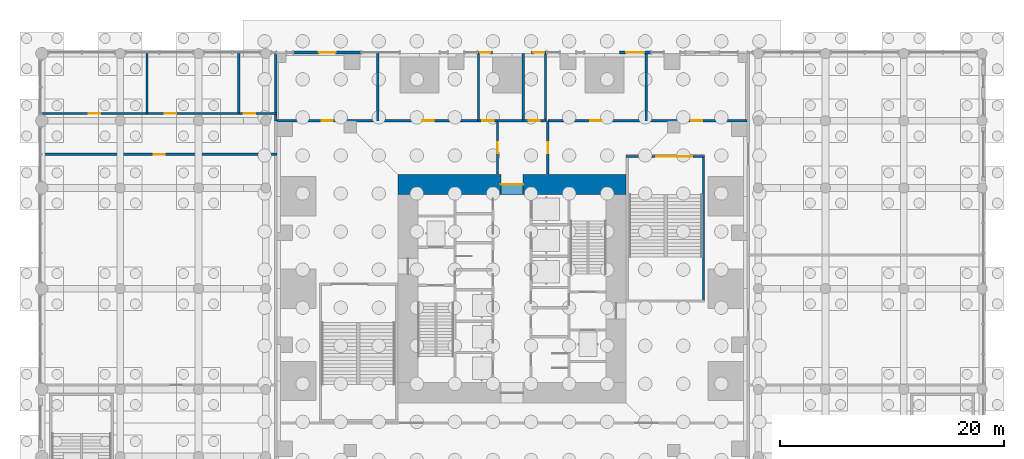
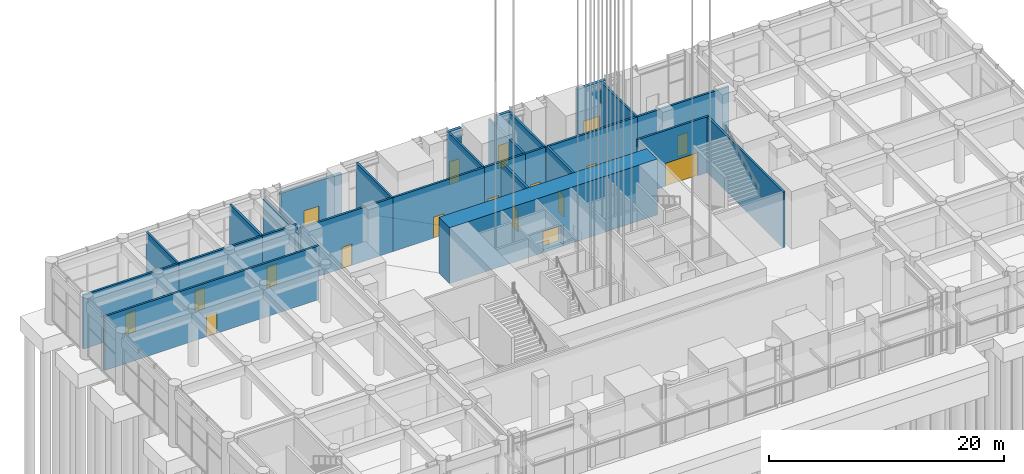
# One storey, part 24 of 46: 28 walls, 18 doors, 18 openings.
"""IFC4 building model written with IfcOpenShell, lengths in metres."""

from ifc_helpers import new_model, si_unit, direction, frame, frame_2d, origin, place, context, subcontext, project, spatial, rectangle, extrude, material, layer, layer_set, type_object, element, fill, save


model = new_model("IFC4")

# Units and contexts
model_context = context("Model", 3, precision=1e-05, world=origin(), true_north=direction((0.0, 1.0)))
body_context = subcontext(model_context, "Body", "Model", "MODEL_VIEW")
ifc_project = project(units=[si_unit("LENGTHUNIT", "METRE"), si_unit("AREAUNIT", "SQUARE_METRE"), si_unit("VOLUMEUNIT", "CUBIC_METRE"), si_unit("PLANEANGLEUNIT", "RADIAN"), si_unit("MASSUNIT", "GRAM", prefix="KILO")], contexts=[model_context])

# Site, building, storey
site_placement = place(None, origin())
site = spatial("IfcSite", under=ifc_project, at=site_placement, CompositionType="ELEMENT")
building_placement = place(site_placement, origin())
building = spatial("IfcBuilding", under=site, at=building_placement, Name="Svetlomir Tower", CompositionType="ELEMENT")
storey_placement = place(building_placement, origin())
storey = spatial("IfcBuildingStorey", under=building, at=storey_placement, Name="L00", CompositionType="ELEMENT", Elevation=0.0)

# Wall, opening, door
ifc_material_1 = material(Name="Gypsum board on twin steel studs", Category="steel")
ifc_layer_1 = layer(ifc_material_1, 0.199951171875)
ifc_layer_set_1 = layer_set([ifc_layer_1], Name="Gypsum board on twin steel studs")
wall_type_1 = type_object("IfcWallType", Name="ACOUSTIC PARTITION 200", PredefinedType="PARTITIONING", material=ifc_layer_set_1)
wall_1_placement = place(storey_placement, frame((-21.0, 33.0, 0.0), z_axis=(0.0, 0.0, 1.0), x_axis=(1.0, 0.0, 0.0)))
wall_1 = element("IfcWall", 1, at=wall_1_placement, inside=storey, type_object=wall_type_1, Name="Partition L00", PredefinedType="PARTITIONING", context=body_context, shape_type="SweptSolid", body=[
    extrude(rectangle(XDim=21.0, YDim=0.199951171875, at=frame_2d((10.5, 0.0))), origin(), (0.0, 0.0, 1.0), 5.60009765625),
])
opening_1_placement = place(wall_1_placement, frame((10.0, 0.0, 0.0)))
opening_1 = element("IfcOpeningElement", 2, at=opening_1_placement, cuts=wall_1, Name="Opening DR", PredefinedType="OPENING", context=body_context, shape_type="SweptSolid", body=[
    extrude(rectangle(XDim=1.0, YDim=2.199951171875, at=frame_2d((0.5, 1.10009765625))), frame((0.0, 0.10986328125, 0.0), z_axis=(0.0, -1.0, 0.0), x_axis=(1.0, 0.0, 0.0)), (0.0, 0.0, 1.0), 0.219970703125),
])
ifc_material_2 = material(Name="Timber door, glazed side light", Category="wood")
door_type_1 = type_object("IfcDoorType", Name="DOOR DR 1000x2200", OperationType="SINGLE_SWING_LEFT", PredefinedType="DOOR", material=ifc_material_2)
door_1_placement = place(opening_1_placement, origin())
door_1 = element("IfcDoor", 3, at=door_1_placement, inside=storey, type_object=door_type_1, Name="Public toilets entrance door L00", OperationType="SINGLE_SWING_LEFT", OverallHeight=2.199951171875, OverallWidth=1.0, PredefinedType="DOOR", context=body_context, shape_type="SweptSolid", body=[
    extrude(rectangle(XDim=1.0, YDim=2.199951171875, at=frame_2d((0.5, 1.10009765625))), frame((0.0, 0.02490234375, 0.0), z_axis=(0.0, -1.0, 0.0), x_axis=(1.0, 0.0, 0.0)), (0.0, 0.0, 1.0), 0.050048828125),
])
fill(opening_1, door_1)

wall_2_placement = place(storey_placement, frame((-21.0, 36.64990234375, 0.0), z_axis=(0.0, 0.0, 1.0), x_axis=(1.0, 0.0, 0.0)))
wall_2 = element("IfcWall", 4, at=wall_2_placement, inside=storey, type_object=wall_type_1, Name="Partition L00", PredefinedType="PARTITIONING", context=body_context, shape_type="SweptSolid", body=[
    extrude(rectangle(XDim=9.39990234375, YDim=0.199951171875, at=frame_2d((4.699951171875, 0.0))), origin(), (0.0, 0.0, 1.0), 5.60009765625),
])
opening_2_placement = place(wall_2_placement, frame((4.199951171875, 0.0, 0.0)))
opening_2 = element("IfcOpeningElement", 5, at=opening_2_placement, cuts=wall_2, Name="Opening DR", PredefinedType="OPENING", context=body_context, shape_type="SweptSolid", body=[
    extrude(rectangle(XDim=1.0, YDim=2.199951171875, at=frame_2d((0.5, 1.10009765625))), frame((0.0, 0.10986328125, 0.0), z_axis=(0.0, -1.0, 0.0), x_axis=(1.0, 0.0, 0.0)), (0.0, 0.0, 1.0), 0.219970703125),
])
door_2_placement = place(opening_2_placement, origin())
door_2 = element("IfcDoor", 6, at=door_2_placement, inside=storey, type_object=door_type_1, Name="Public toilets - men door L00", OperationType="SINGLE_SWING_RIGHT", OverallHeight=2.199951171875, OverallWidth=1.0, PredefinedType="DOOR", context=body_context, shape_type="SweptSolid", body=[
    extrude(rectangle(XDim=1.0, YDim=2.199951171875, at=frame_2d((0.5, 1.10009765625))), frame((0.0, 0.02490234375, 0.0), z_axis=(0.0, -1.0, 0.0), x_axis=(1.0, 0.0, 0.0)), (0.0, 0.0, 1.0), 0.050048828125),
])
fill(opening_2, door_2)

# Wall
wall_3_placement = place(storey_placement, frame((-11.60009765625, 36.64990234375, 0.0), z_axis=(0.0, 0.0, 1.0), x_axis=(0.0, 1.0, 0.0)))
element("IfcWall", 7, at=wall_3_placement, inside=storey, type_object=wall_type_1, Name="Partition L00", PredefinedType="PARTITIONING", context=body_context, shape_type="SweptSolid", body=[
    extrude(rectangle(XDim=5.35009765625, YDim=0.199951171875, at=frame_2d((2.675048828125, 0.0))), origin(), (0.0, 0.0, 1.0), 5.60009765625),
])

# Wall, opening, door
wall_4_placement = place(storey_placement, frame((-11.60009765625, 36.64990234375, 0.0), z_axis=(0.0, 0.0, 1.0), x_axis=(1.0, 0.0, 0.0)))
wall_4 = element("IfcWall", 8, at=wall_4_placement, inside=storey, type_object=wall_type_1, Name="Partition L00", PredefinedType="PARTITIONING", context=body_context, shape_type="SweptSolid", body=[
    extrude(rectangle(XDim=8.2001953125, YDim=0.199951171875, at=frame_2d((4.10009765625, 0.0))), origin(), (0.0, 0.0, 1.0), 5.60009765625),
])
opening_3_placement = place(wall_4_placement, frame((1.60009765625, 0.0, 0.0)))
opening_3 = element("IfcOpeningElement", 9, at=opening_3_placement, cuts=wall_4, Name="Opening DR", PredefinedType="OPENING", context=body_context, shape_type="SweptSolid", body=[
    extrude(rectangle(XDim=1.0, YDim=2.199951171875, at=frame_2d((0.5, 1.10009765625))), frame((0.0, 0.10986328125, 0.0), z_axis=(0.0, -1.0, 0.0), x_axis=(1.0, 0.0, 0.0)), (0.0, 0.0, 1.0), 0.219970703125),
])
door_3_placement = place(opening_3_placement, origin())
door_3 = element("IfcDoor", 10, at=door_3_placement, inside=storey, type_object=door_type_1, Name="Public toilets - women door L00", OperationType="SINGLE_SWING_LEFT", OverallHeight=2.199951171875, OverallWidth=1.0, PredefinedType="DOOR", context=body_context, shape_type="SweptSolid", body=[
    extrude(rectangle(XDim=1.0, YDim=2.199951171875, at=frame_2d((0.5, 1.10009765625))), frame((0.0, 0.02490234375, 0.0), z_axis=(0.0, -1.0, 0.0), x_axis=(1.0, 0.0, 0.0)), (0.0, 0.0, 1.0), 0.050048828125),
])
fill(opening_3, door_3)

# Wall
wall_5_placement = place(storey_placement, frame((-3.39990234375, 36.64990234375, 0.0), z_axis=(0.0, 0.0, 1.0), x_axis=(0.0, 1.0, 0.0)))
element("IfcWall", 11, at=wall_5_placement, inside=storey, type_object=wall_type_1, Name="Partition L00", PredefinedType="PARTITIONING", context=body_context, shape_type="SweptSolid", body=[
    extrude(rectangle(XDim=5.35009765625, YDim=0.199951171875, at=frame_2d((2.675048828125, 0.0))), origin(), (0.0, 0.0, 1.0), 5.60009765625),
])

# Wall, opening, door
wall_6_placement = place(storey_placement, frame((-3.39990234375, 36.64990234375, 0.0), z_axis=(0.0, 0.0, 1.0), x_axis=(1.0, 0.0, 0.0)))
wall_6 = element("IfcWall", 12, at=wall_6_placement, inside=storey, type_object=wall_type_1, Name="Partition L00", PredefinedType="PARTITIONING", context=body_context, shape_type="SweptSolid", body=[
    extrude(rectangle(XDim=3.39990234375, YDim=0.199951171875, at=frame_2d((1.699951171875, 0.0))), origin(), (0.0, 0.0, 1.0), 5.60009765625),
])
opening_4_placement = place(wall_6_placement, frame((0.449951171875, 0.0, 0.0)))
opening_4 = element("IfcOpeningElement", 13, at=opening_4_placement, cuts=wall_6, Name="Opening DR", PredefinedType="OPENING", context=body_context, shape_type="SweptSolid", body=[
    extrude(rectangle(XDim=1.0, YDim=2.199951171875, at=frame_2d((0.5, 1.10009765625))), frame((0.0, 0.10986328125, 0.0), z_axis=(0.0, -1.0, 0.0), x_axis=(1.0, 0.0, 0.0)), (0.0, 0.0, 1.0), 0.219970703125),
])
door_4_placement = place(opening_4_placement, origin())
door_4 = element("IfcDoor", 14, at=door_4_placement, inside=storey, type_object=door_type_1, Name="Public accessible WC door L00", OperationType="SINGLE_SWING_LEFT", OverallHeight=2.199951171875, OverallWidth=1.0, PredefinedType="DOOR", context=body_context, shape_type="SweptSolid", body=[
    extrude(rectangle(XDim=1.0, YDim=2.199951171875, at=frame_2d((0.5, 1.10009765625))), frame((0.0, 0.02490234375, 0.0), z_axis=(0.0, -1.0, 0.0), x_axis=(1.0, 0.0, 0.0)), (0.0, 0.0, 1.0), 0.050048828125),
])
fill(opening_4, door_4)

wall_7_placement = place(storey_placement, frame((0.0, 36.0, 0.0), z_axis=(0.0, 0.0, 1.0), x_axis=(1.0, 0.0, 0.0)))
wall_7 = element("IfcWall", 15, at=wall_7_placement, inside=storey, type_object=wall_type_1, Name="Fire command centre wall L00", PredefinedType="PARTITIONING", context=body_context, shape_type="SweptSolid", body=[
    extrude(rectangle(XDim=9.0, YDim=0.199951171875, at=frame_2d((4.5, 0.0))), origin(), (0.0, 0.0, 1.0), 5.60009765625),
])
opening_5_placement = place(wall_7_placement, frame((4.0, 0.0, 0.0)))
opening_5 = element("IfcOpeningElement", 16, at=opening_5_placement, cuts=wall_7, Name="Opening DR", PredefinedType="OPENING", context=body_context, shape_type="SweptSolid", body=[
    extrude(rectangle(XDim=1.0, YDim=2.199951171875, at=frame_2d((0.5, 1.10009765625))), frame((0.0, 0.10986328125, 0.0), z_axis=(0.0, -1.0, 0.0), x_axis=(1.0, 0.0, 0.0)), (0.0, 0.0, 1.0), 0.219970703125),
])
door_5_placement = place(opening_5_placement, origin())
door_5 = element("IfcDoor", 17, at=door_5_placement, inside=storey, type_object=door_type_1, Name="Fire command centre door L00", OperationType="SINGLE_SWING_RIGHT", OverallHeight=2.199951171875, OverallWidth=1.0, PredefinedType="DOOR", context=body_context, shape_type="SweptSolid", body=[
    extrude(rectangle(XDim=1.0, YDim=2.199951171875, at=frame_2d((0.5, 1.10009765625))), frame((0.0, 0.02490234375, 0.0), z_axis=(0.0, -1.0, 0.0), x_axis=(1.0, 0.0, 0.0)), (0.0, 0.0, 1.0), 0.050048828125),
])
fill(opening_5, door_5)

# Wall
wall_8_placement = place(storey_placement, frame((9.0, 36.0, 0.0), z_axis=(0.0, 0.0, 1.0), x_axis=(0.0, 1.0, 0.0)))
element("IfcWall", 18, at=wall_8_placement, inside=storey, type_object=wall_type_1, Name="Fire command centre wall L00", PredefinedType="PARTITIONING", context=body_context, shape_type="SweptSolid", body=[
    extrude(rectangle(XDim=6.0, YDim=0.199951171875, at=frame_2d((3.0, 0.0))), origin(), (0.0, 0.0, 1.0), 5.60009765625),
])

# Wall, opening, door
wall_9_placement = place(storey_placement, frame((9.0, 36.0, 0.0), z_axis=(0.0, 0.0, 1.0), x_axis=(1.0, 0.0, 0.0)))
wall_9 = element("IfcWall", 19, at=wall_9_placement, inside=storey, type_object=wall_type_1, Name="Partition L00", PredefinedType="PARTITIONING", context=body_context, shape_type="SweptSolid", body=[
    extrude(rectangle(XDim=9.0, YDim=0.199951171875, at=frame_2d((4.5, 0.0))), origin(), (0.0, 0.0, 1.0), 5.60009765625),
])
opening_6_placement = place(wall_9_placement, frame((4.0, 0.0, 0.0)))
opening_6 = element("IfcOpeningElement", 20, at=opening_6_placement, cuts=wall_9, Name="Opening DR", PredefinedType="OPENING", context=body_context, shape_type="SweptSolid", body=[
    extrude(rectangle(XDim=1.0, YDim=2.199951171875, at=frame_2d((0.5, 1.10009765625))), frame((0.0, 0.10986328125, 0.0), z_axis=(0.0, -1.0, 0.0), x_axis=(1.0, 0.0, 0.0)), (0.0, 0.0, 1.0), 0.219970703125),
])
door_6_placement = place(opening_6_placement, origin())
door_6 = element("IfcDoor", 21, at=door_6_placement, inside=storey, type_object=door_type_1, Name="Security office door L00", OperationType="SINGLE_SWING_RIGHT", OverallHeight=2.199951171875, OverallWidth=1.0, PredefinedType="DOOR", context=body_context, shape_type="SweptSolid", body=[
    extrude(rectangle(XDim=1.0, YDim=2.199951171875, at=frame_2d((0.5, 1.10009765625))), frame((0.0, 0.02490234375, 0.0), z_axis=(0.0, -1.0, 0.0), x_axis=(1.0, 0.0, 0.0)), (0.0, 0.0, 1.0), 0.050048828125),
])
fill(opening_6, door_6)

# Wall
wall_10_placement = place(storey_placement, frame((18.0, 36.0, 0.0), z_axis=(0.0, 0.0, 1.0), x_axis=(0.0, 1.0, 0.0)))
element("IfcWall", 22, at=wall_10_placement, inside=storey, type_object=wall_type_1, Name="Partition L00", PredefinedType="PARTITIONING", context=body_context, shape_type="SweptSolid", body=[
    extrude(rectangle(XDim=6.0, YDim=0.199951171875, at=frame_2d((3.0, 0.0))), origin(), (0.0, 0.0, 1.0), 5.60009765625),
])

# Wall, opening, door
wall_11_placement = place(storey_placement, frame((18.0, 36.0, 0.0), z_axis=(0.0, 0.0, 1.0), x_axis=(1.0, 0.0, 0.0)))
wall_11 = element("IfcWall", 23, at=wall_11_placement, inside=storey, type_object=wall_type_1, Name="Partition L00", PredefinedType="PARTITIONING", context=body_context, shape_type="SweptSolid", body=[
    extrude(rectangle(XDim=1.699951171875, YDim=0.199951171875, at=frame_2d((0.85009765625, 0.0))), origin(), (0.0, 0.0, 1.0), 5.60009765625),
])
opening_7_placement = place(wall_11_placement, frame((0.35009765625, 0.0, 0.0)))
opening_7 = element("IfcOpeningElement", 24, at=opening_7_placement, cuts=wall_11, Name="Opening DR", PredefinedType="OPENING", context=body_context, shape_type="SweptSolid", body=[
    extrude(rectangle(XDim=1.0, YDim=2.199951171875, at=frame_2d((0.5, 1.10009765625))), frame((0.0, 0.10986328125, 0.0), z_axis=(0.0, -1.0, 0.0), x_axis=(1.0, 0.0, 0.0)), (0.0, 0.0, 1.0), 0.219970703125),
])
door_7_placement = place(opening_7_placement, origin())
door_7 = element("IfcDoor", 25, at=door_7_placement, inside=storey, type_object=door_type_1, Name="Post room door L00", OperationType="SINGLE_SWING_LEFT", OverallHeight=2.199951171875, OverallWidth=1.0, PredefinedType="DOOR", context=body_context, shape_type="SweptSolid", body=[
    extrude(rectangle(XDim=1.0, YDim=2.199951171875, at=frame_2d((0.5, 1.10009765625))), frame((0.0, 0.02490234375, 0.0), z_axis=(0.0, -1.0, 0.0), x_axis=(1.0, 0.0, 0.0)), (0.0, 0.0, 1.0), 0.050048828125),
])
fill(opening_7, door_7)

wall_12_placement = place(storey_placement, frame((19.699951171875, 31.25, 0.0), z_axis=(0.0, 0.0, 1.0), x_axis=(0.0, 1.0, 0.0)))
wall_12 = element("IfcWall", 26, at=wall_12_placement, inside=storey, type_object=wall_type_1, Name="Exit passage wall L00", PredefinedType="PARTITIONING", context=body_context, shape_type="SweptSolid", body=[
    extrude(rectangle(XDim=4.75, YDim=0.199951171875, at=frame_2d((2.375, 0.0))), origin(), (0.0, 0.0, 1.0), 5.60009765625),
])
opening_8_placement = place(wall_12_placement, frame((1.85009765625, 0.0, 0.0)))
opening_8 = element("IfcOpeningElement", 27, at=opening_8_placement, cuts=wall_12, Name="Opening DR", PredefinedType="OPENING", context=body_context, shape_type="SweptSolid", body=[
    extrude(rectangle(XDim=1.0, YDim=2.199951171875, at=frame_2d((0.5, 1.10009765625))), frame((0.0, 0.10986328125, 0.0), z_axis=(0.0, -1.0, 0.0), x_axis=(1.0, 0.0, 0.0)), (0.0, 0.0, 1.0), 0.219970703125),
])
door_8_placement = place(opening_8_placement, origin())
door_8 = element("IfcDoor", 28, at=door_8_placement, inside=storey, type_object=door_type_1, Name="North exit passage door L00", OperationType="SINGLE_SWING_RIGHT", OverallHeight=2.199951171875, OverallWidth=1.0, PredefinedType="DOOR", context=body_context, shape_type="SweptSolid", body=[
    extrude(rectangle(XDim=1.0, YDim=2.199951171875, at=frame_2d((0.5, 1.10009765625))), frame((0.0, 0.02490234375, 0.0), z_axis=(0.0, -1.0, 0.0), x_axis=(1.0, 0.0, 0.0)), (0.0, 0.0, 1.0), 0.050048828125),
])
fill(opening_8, door_8)

# Walls
wall_13_placement = place(storey_placement, frame((19.699951171875, 36.0, 0.0), z_axis=(0.0, 0.0, 1.0), x_axis=(1.0, 0.0, 0.0)))
element("IfcWall", 29, at=wall_13_placement, inside=storey, type_object=wall_type_1, Name="Exit passage wall L00", PredefinedType="PARTITIONING", context=body_context, shape_type="SweptSolid", body=[
    extrude(rectangle(XDim=2.300048828125, YDim=0.199951171875, at=frame_2d((1.14990234375, 0.0))), origin(), (0.0, 0.0, 1.0), 5.60009765625),
])
wall_14_placement = place(storey_placement, frame((22.0, 36.0, 0.0), z_axis=(0.0, 0.0, 1.0), x_axis=(0.0, 1.0, 0.0)))
element("IfcWall", 30, at=wall_14_placement, inside=storey, type_object=wall_type_1, Name="Exit passage wall L00", PredefinedType="PARTITIONING", context=body_context, shape_type="SweptSolid", body=[
    extrude(rectangle(XDim=6.0, YDim=0.199951171875, at=frame_2d((3.0, 0.0))), origin(), (0.0, 0.0, 1.0), 5.60009765625),
])

# Wall, opening, door
wall_15_placement = place(storey_placement, frame((22.0, 36.0, 0.0), z_axis=(0.0, 0.0, 1.0), x_axis=(1.0, 0.0, 0.0)))
wall_15 = element("IfcWall", 31, at=wall_15_placement, inside=storey, type_object=wall_type_1, Name="Exit passage wall L00", PredefinedType="PARTITIONING", context=body_context, shape_type="SweptSolid", body=[
    extrude(rectangle(XDim=2.0, YDim=0.199951171875, at=frame_2d((1.0, 0.0))), origin(), (0.0, 0.0, 1.0), 5.60009765625),
])
opening_9_placement = place(wall_15_placement, frame((0.5, 0.0, 0.0)))
opening_9 = element("IfcOpeningElement", 32, at=opening_9_placement, cuts=wall_15, Name="Opening DR", PredefinedType="OPENING", context=body_context, shape_type="SweptSolid", body=[
    extrude(rectangle(XDim=1.0, YDim=2.199951171875, at=frame_2d((0.5, 1.10009765625))), frame((0.0, 0.10986328125, 0.0), z_axis=(0.0, -1.0, 0.0), x_axis=(1.0, 0.0, 0.0)), (0.0, 0.0, 1.0), 0.219970703125),
])
door_9_placement = place(opening_9_placement, origin())
door_9 = element("IfcDoor", 33, at=door_9_placement, inside=storey, type_object=door_type_1, Name="Service and exit passage door L00", OperationType="SINGLE_SWING_LEFT", OverallHeight=2.199951171875, OverallWidth=1.0, PredefinedType="DOOR", context=body_context, shape_type="SweptSolid", body=[
    extrude(rectangle(XDim=1.0, YDim=2.199951171875, at=frame_2d((0.5, 1.10009765625))), frame((0.0, 0.02490234375, 0.0), z_axis=(0.0, -1.0, 0.0), x_axis=(1.0, 0.0, 0.0)), (0.0, 0.0, 1.0), 0.050048828125),
])
fill(opening_9, door_9)

# Wall
wall_16_placement = place(storey_placement, frame((24.0, 36.0, 0.0), z_axis=(0.0, 0.0, 1.0), x_axis=(0.0, 1.0, 0.0)))
element("IfcWall", 34, at=wall_16_placement, inside=storey, type_object=wall_type_1, Name="Exit passage wall L00", PredefinedType="PARTITIONING", context=body_context, shape_type="SweptSolid", body=[
    extrude(rectangle(XDim=6.0, YDim=0.199951171875, at=frame_2d((3.0, 0.0))), origin(), (0.0, 0.0, 1.0), 5.60009765625),
])

# Wall, opening, door
wall_17_placement = place(storey_placement, frame((24.199951171875, 31.25, 0.0), z_axis=(0.0, 0.0, 1.0), x_axis=(0.0, 1.0, 0.0)))
wall_17 = element("IfcWall", 35, at=wall_17_placement, inside=storey, type_object=wall_type_1, Name="Exit passage wall L00", PredefinedType="PARTITIONING", context=body_context, shape_type="SweptSolid", body=[
    extrude(rectangle(XDim=4.75, YDim=0.199951171875, at=frame_2d((2.375, 0.0))), origin(), (0.0, 0.0, 1.0), 5.60009765625),
])
opening_10_placement = place(wall_17_placement, frame((1.85009765625, 0.0, 0.0)))
opening_10 = element("IfcOpeningElement", 36, at=opening_10_placement, cuts=wall_17, Name="Opening DC", PredefinedType="OPENING", context=body_context, shape_type="SweptSolid", body=[
    extrude(rectangle(XDim=1.0, YDim=2.199951171875, at=frame_2d((0.5, 1.10009765625))), frame((0.0, 0.10986328125, 0.0), z_axis=(0.0, -1.0, 0.0), x_axis=(1.0, 0.0, 0.0)), (0.0, 0.0, 1.0), 0.219970703125),
])
ifc_material_3 = material(Name="Timber fire door", Category="wood")
door_type_2 = type_object("IfcDoorType", Name="DOOR DC 1000x2200", OperationType="SINGLE_SWING_LEFT", PredefinedType="DOOR", material=ifc_material_3)
door_10_placement = place(opening_10_placement, origin())
door_10 = element("IfcDoor", 37, at=door_10_placement, inside=storey, type_object=door_type_2, Name="North exit passage east door L00", OperationType="SINGLE_SWING_RIGHT", OverallHeight=2.199951171875, OverallWidth=1.0, PredefinedType="DOOR", context=body_context, shape_type="SweptSolid", body=[
    extrude(rectangle(XDim=1.0, YDim=2.199951171875, at=frame_2d((0.5, 1.10009765625))), frame((0.0, 0.02490234375, 0.0), z_axis=(0.0, -1.0, 0.0), x_axis=(1.0, 0.0, 0.0)), (0.0, 0.0, 1.0), 0.050048828125),
])
fill(opening_10, door_10)

wall_18_placement = place(storey_placement, frame((24.199951171875, 36.0, 0.0), z_axis=(0.0, 0.0, 1.0), x_axis=(1.0, 0.0, 0.0)))
wall_18 = element("IfcWall", 38, at=wall_18_placement, inside=storey, type_object=wall_type_1, Name="Partition L00", PredefinedType="PARTITIONING", context=body_context, shape_type="SweptSolid", body=[
    extrude(rectangle(XDim=8.800048828125, YDim=0.199951171875, at=frame_2d((4.39990234375, 0.0))), origin(), (0.0, 0.0, 1.0), 5.60009765625),
])
opening_11_placement = place(wall_18_placement, frame((3.800048828125, 0.0, 0.0)))
opening_11 = element("IfcOpeningElement", 39, at=opening_11_placement, cuts=wall_18, Name="Opening DR", PredefinedType="OPENING", context=body_context, shape_type="SweptSolid", body=[
    extrude(rectangle(XDim=1.0, YDim=2.199951171875, at=frame_2d((0.5, 1.10009765625))), frame((0.0, 0.10986328125, 0.0), z_axis=(0.0, -1.0, 0.0), x_axis=(1.0, 0.0, 0.0)), (0.0, 0.0, 1.0), 0.219970703125),
])
door_11_placement = place(opening_11_placement, origin())
door_11 = element("IfcDoor", 40, at=door_11_placement, inside=storey, type_object=door_type_1, Name="Refuse store door L00", OperationType="SINGLE_SWING_RIGHT", OverallHeight=2.199951171875, OverallWidth=1.0, PredefinedType="DOOR", context=body_context, shape_type="SweptSolid", body=[
    extrude(rectangle(XDim=1.0, YDim=2.199951171875, at=frame_2d((0.5, 1.10009765625))), frame((0.0, 0.02490234375, 0.0), z_axis=(0.0, -1.0, 0.0), x_axis=(1.0, 0.0, 0.0)), (0.0, 0.0, 1.0), 0.050048828125),
])
fill(opening_11, door_11)

# Wall
wall_19_placement = place(storey_placement, frame((33.0, 36.0, 0.0), z_axis=(0.0, 0.0, 1.0), x_axis=(0.0, 1.0, 0.0)))
element("IfcWall", 41, at=wall_19_placement, inside=storey, type_object=wall_type_1, Name="Partition L00", PredefinedType="PARTITIONING", context=body_context, shape_type="SweptSolid", body=[
    extrude(rectangle(XDim=6.0, YDim=0.199951171875, at=frame_2d((3.0, 0.0))), origin(), (0.0, 0.0, 1.0), 5.60009765625),
])

# Wall, opening, door
wall_20_placement = place(storey_placement, frame((33.0, 36.0, 0.0), z_axis=(0.0, 0.0, 1.0), x_axis=(1.0, 0.0, 0.0)))
wall_20 = element("IfcWall", 42, at=wall_20_placement, inside=storey, type_object=wall_type_1, Name="Partition L00", PredefinedType="PARTITIONING", context=body_context, shape_type="SweptSolid", body=[
    extrude(rectangle(XDim=9.0, YDim=0.199951171875, at=frame_2d((4.5, 0.0))), origin(), (0.0, 0.0, 1.0), 5.60009765625),
])
opening_12_placement = place(wall_20_placement, frame((4.0, 0.0, 0.0)))
opening_12 = element("IfcOpeningElement", 43, at=opening_12_placement, cuts=wall_20, Name="Opening DR", PredefinedType="OPENING", context=body_context, shape_type="SweptSolid", body=[
    extrude(rectangle(XDim=1.0, YDim=2.199951171875, at=frame_2d((0.5, 1.10009765625))), frame((0.0, 0.10986328125, 0.0), z_axis=(0.0, -1.0, 0.0), x_axis=(1.0, 0.0, 0.0)), (0.0, 0.0, 1.0), 0.219970703125),
])
door_12_placement = place(opening_12_placement, origin())
door_12 = element("IfcDoor", 44, at=door_12_placement, inside=storey, type_object=door_type_1, Name="Bicycle store door L00", OperationType="SINGLE_SWING_LEFT", OverallHeight=2.199951171875, OverallWidth=1.0, PredefinedType="DOOR", context=body_context, shape_type="SweptSolid", body=[
    extrude(rectangle(XDim=1.0, YDim=2.199951171875, at=frame_2d((0.5, 1.10009765625))), frame((0.0, 0.02490234375, 0.0), z_axis=(0.0, -1.0, 0.0), x_axis=(1.0, 0.0, 0.0)), (0.0, 0.0, 1.0), 0.050048828125),
])
fill(opening_12, door_12)

ifc_material_4 = material(Name="Concrete C60/75", Category="concrete")
ifc_layer_2 = layer(ifc_material_4, 1.800048828125)
ifc_layer_set_2 = layer_set([ifc_layer_2], Name="Concrete C60/75")
wall_type_2 = type_object("IfcWallType", Name="CORE WALL 1800", PredefinedType="SHEAR", material=ifc_layer_set_2)
wall_21_placement = place(storey_placement, frame((10.800048828125, 30.300048828125, 0.0), z_axis=(0.0, 0.0, 1.0), x_axis=(1.0, 0.0, 0.0)))
wall_21 = element("IfcWall", 45, at=wall_21_placement, inside=storey, type_object=wall_type_2, Name="Core wall north L00", PredefinedType="SHEAR", context=body_context, shape_type="SweptSolid", body=[
    extrude(rectangle(XDim=20.39990234375, YDim=1.800048828125, at=frame_2d((10.199951171875, 0.0))), origin(), (0.0, 0.0, 1.0), 5.800048828125),
])
opening_13_placement = place(wall_21_placement, frame((9.199951171875, 0.0, 0.0)))
opening_13 = element("IfcOpeningElement", 46, at=opening_13_placement, cuts=wall_21, Name="Opening DL", PredefinedType="OPENING", context=body_context, shape_type="SweptSolid", body=[
    extrude(rectangle(XDim=2.0, YDim=2.199951171875, at=frame_2d((1.0, 1.10009765625))), frame((0.0, 0.91015625, 0.0), z_axis=(0.0, -1.0, 0.0), x_axis=(1.0, 0.0, 0.0)), (0.0, 0.0, 1.0), 1.820068359375),
])
ifc_material_5 = material(Name="Steel fire door", Category="steel")
door_type_3 = type_object("IfcDoorType", Name="DOOR DL 2000x2200", OperationType="DOUBLE_DOOR_SINGLE_SWING", PredefinedType="DOOR", material=ifc_material_5)
door_13_placement = place(opening_13_placement, origin())
door_13 = element("IfcDoor", 47, at=door_13_placement, inside=storey, type_object=door_type_3, Name="Lift lobby north door L00", OperationType="DOUBLE_DOOR_SINGLE_SWING", OverallHeight=2.199951171875, OverallWidth=2.0, PredefinedType="DOOR", context=body_context, shape_type="SweptSolid", body=[
    extrude(rectangle(XDim=2.0, YDim=2.199951171875, at=frame_2d((1.0, 1.10009765625))), frame((0.0, 0.02490234375, 0.0), z_axis=(0.0, -1.0, 0.0), x_axis=(1.0, 0.0, 0.0)), (0.0, 0.0, 1.0), 0.050048828125),
])
fill(opening_13, door_13)

ifc_material_6 = material(Name="Bronze anodised aluminium glazed screen", Category="aluminium")
ifc_layer_3 = layer(ifc_material_6, 0.300048828125)
ifc_layer_set_3 = layer_set([ifc_layer_3], Name="Bronze anodised aluminium glazed screen")
wall_type_3 = type_object("IfcWallType", Name="ENTRANCE SCREEN WALL 300", PredefinedType="USERDEFINED", material=ifc_layer_set_3)
wall_22_placement = place(storey_placement, frame((33.39990234375, 42.10009765625, 0.0), z_axis=(0.0, 0.0, 1.0), x_axis=(-1.0, 0.0, 0.0)))
wall_22 = element("IfcWall", 48, at=wall_22_placement, inside=storey, type_object=wall_type_3, Name="Refuse store service", ObjectType="GLAZED SCREEN", PredefinedType="USERDEFINED", context=body_context, shape_type="SweptSolid", body=[
    extrude(rectangle(XDim=2.7998046875, YDim=0.300048828125, at=frame_2d((1.39990234375, 0.0))), origin(), (0.0, 0.0, 1.0), 5.60009765625),
])
opening_14_placement = place(wall_22_placement, frame((0.60009765625, 0.0, 0.0)))
opening_14 = element("IfcOpeningElement", 49, at=opening_14_placement, cuts=wall_22, Name="Opening XB", PredefinedType="OPENING", context=body_context, shape_type="SweptSolid", body=[
    extrude(rectangle(XDim=1.60009765625, YDim=2.10009765625, at=frame_2d((0.800048828125, 1.050048828125))), frame((0.0, 0.16015625, 0.0), z_axis=(0.0, -1.0, 0.0), x_axis=(1.0, 0.0, 0.0)), (0.0, 0.0, 1.0), 0.320068359375),
])
ifc_material_7 = material(Name="Galvanised steel louvred door", Category="steel")
door_type_4 = type_object("IfcDoorType", Name="REFUSE STORE SERVICE DOOR XB 1600x2100", OperationType="DOUBLE_DOOR_SINGLE_SWING", PredefinedType="DOOR", material=ifc_material_7)
door_14_placement = place(opening_14_placement, origin())
door_14 = element("IfcDoor", 50, at=door_14_placement, inside=storey, type_object=door_type_4, Name="Refuse store service door", OperationType="DOUBLE_DOOR_SINGLE_SWING", OverallHeight=2.10009765625, OverallWidth=1.60009765625, PredefinedType="DOOR", context=body_context, shape_type="SweptSolid", body=[
    extrude(rectangle(XDim=1.60009765625, YDim=2.10009765625, at=frame_2d((0.800048828125, 1.050048828125))), frame((0.0, 0.02490234375, 0.0), z_axis=(0.0, -1.0, 0.0), x_axis=(1.0, 0.0, 0.0)), (0.0, 0.0, 1.0), 0.050048828125),
])
fill(opening_14, door_14)

wall_23_placement = place(storey_placement, frame((22.75, 42.10009765625, 0.0), z_axis=(0.0, 0.0, 1.0), x_axis=(1.0, 0.0, 0.0)))
wall_23 = element("IfcWall", 51, at=wall_23_placement, inside=storey, type_object=wall_type_3, Name="Service passage yard", ObjectType="GLAZED SCREEN", PredefinedType="USERDEFINED", context=body_context, shape_type="SweptSolid", body=[
    extrude(rectangle(XDim=1.300048828125, YDim=0.300048828125, at=frame_2d((0.64990234375, 0.0))), origin(), (0.0, 0.0, 1.0), 5.60009765625),
])
opening_15_placement = place(wall_23_placement, frame((0.14990234375, 0.0, 0.0)))
opening_15 = element("IfcOpeningElement", 52, at=opening_15_placement, cuts=wall_23, Name="Opening XD2", PredefinedType="OPENING", context=body_context, shape_type="SweptSolid", body=[
    extrude(rectangle(XDim=1.0, YDim=2.39990234375, at=frame_2d((0.5, 1.199951171875))), frame((0.0, 0.16015625, 0.0), z_axis=(0.0, -1.0, 0.0), x_axis=(1.0, 0.0, 0.0)), (0.0, 0.0, 1.0), 0.320068359375),
])
ifc_material_8 = material(Name="Steel external door", Category="steel")
door_type_5 = type_object("IfcDoorType", Name="EXTERNAL DOOR XD2 1000x2400", OperationType="SINGLE_SWING_LEFT", PredefinedType="DOOR", material=ifc_material_8)
door_15_placement = place(opening_15_placement, origin())
door_15 = element("IfcDoor", 53, at=door_15_placement, inside=storey, type_object=door_type_5, Name="Service passage yard door", OperationType="SINGLE_SWING_LEFT", OverallHeight=2.39990234375, OverallWidth=1.0, PredefinedType="DOOR", context=body_context, shape_type="SweptSolid", body=[
    extrude(rectangle(XDim=1.0, YDim=2.39990234375, at=frame_2d((0.5, 1.199951171875))), frame((0.0, 0.02490234375, 0.0), z_axis=(0.0, -1.0, 0.0), x_axis=(1.0, 0.0, 0.0)), (0.0, 0.0, 1.0), 0.050048828125),
])
fill(opening_15, door_15)

wall_24_placement = place(storey_placement, frame((19.25, 42.10009765625, 0.0), z_axis=(0.0, 0.0, 1.0), x_axis=(-1.0, 0.0, 0.0)))
wall_24 = element("IfcWall", 54, at=wall_24_placement, inside=storey, type_object=wall_type_3, Name="Post room service", ObjectType="GLAZED SCREEN", PredefinedType="USERDEFINED", context=body_context, shape_type="SweptSolid", body=[
    extrude(rectangle(XDim=1.300048828125, YDim=0.300048828125, at=frame_2d((0.64990234375, 0.0))), origin(), (0.0, 0.0, 1.0), 5.60009765625),
])
opening_16_placement = place(wall_24_placement, frame((0.14990234375, 0.0, 0.0)))
opening_16 = element("IfcOpeningElement", 55, at=opening_16_placement, cuts=wall_24, Name="Opening XD2", PredefinedType="OPENING", context=body_context, shape_type="SweptSolid", body=[
    extrude(rectangle(XDim=1.0, YDim=2.39990234375, at=frame_2d((0.5, 1.199951171875))), frame((0.0, 0.16015625, 0.0), z_axis=(0.0, -1.0, 0.0), x_axis=(1.0, 0.0, 0.0)), (0.0, 0.0, 1.0), 0.320068359375),
])
door_16_placement = place(opening_16_placement, origin())
door_16 = element("IfcDoor", 56, at=door_16_placement, inside=storey, type_object=door_type_5, Name="Post room service door", OperationType="SINGLE_SWING_LEFT", OverallHeight=2.39990234375, OverallWidth=1.0, PredefinedType="DOOR", context=body_context, shape_type="SweptSolid", body=[
    extrude(rectangle(XDim=1.0, YDim=2.39990234375, at=frame_2d((0.5, 1.199951171875))), frame((0.0, 0.02490234375, 0.0), z_axis=(0.0, -1.0, 0.0), x_axis=(1.0, 0.0, 0.0)), (0.0, 0.0, 1.0), 0.050048828125),
])
fill(opening_16, door_16)

wall_25_placement = place(storey_placement, frame((7.5, 42.10009765625, 0.0), z_axis=(0.0, 0.0, 1.0), x_axis=(-1.0, 0.0, 0.0)))
wall_25 = element("IfcWall", 57, at=wall_25_placement, inside=storey, type_object=wall_type_3, Name="Fire command centre door", ObjectType="GLAZED SCREEN", PredefinedType="USERDEFINED", context=body_context, shape_type="SweptSolid", body=[
    extrude(rectangle(XDim=6.0, YDim=0.300048828125, at=frame_2d((3.0, 0.0))), origin(), (0.0, 0.0, 1.0), 4.97998046875),
])
opening_17_placement = place(wall_25_placement, frame((2.25, 0.0, 0.0)))
opening_17 = element("IfcOpeningElement", 58, at=opening_17_placement, cuts=wall_25, Name="Opening XF", PredefinedType="OPENING", context=body_context, shape_type="SweptSolid", body=[
    extrude(rectangle(XDim=1.5, YDim=2.39990234375, at=frame_2d((0.75, 1.199951171875))), frame((0.0, 0.16015625, 0.0), z_axis=(0.0, -1.0, 0.0), x_axis=(1.0, 0.0, 0.0)), (0.0, 0.0, 1.0), 0.320068359375),
])
ifc_material_9 = material(Name="Steel fire service door", Category="steel")
door_type_6 = type_object("IfcDoorType", Name="FIRE SERVICE DOOR XF 1500x2400", OperationType="DOUBLE_DOOR_SINGLE_SWING", PredefinedType="DOOR", material=ifc_material_9)
door_17_placement = place(opening_17_placement, origin())
door_17 = element("IfcDoor", 59, at=door_17_placement, inside=storey, type_object=door_type_6, Name="Fire command centre door", OperationType="DOUBLE_DOOR_SINGLE_SWING", OverallHeight=2.39990234375, OverallWidth=1.5, PredefinedType="DOOR", context=body_context, shape_type="SweptSolid", body=[
    extrude(rectangle(XDim=1.5, YDim=2.39990234375, at=frame_2d((0.75, 1.199951171875))), frame((0.0, 0.02490234375, 0.0), z_axis=(0.0, -1.0, 0.0), x_axis=(1.0, 0.0, 0.0)), (0.0, 0.0, 1.0), 0.050048828125),
])
fill(opening_17, door_17)

# Walls
ifc_material_10 = material(Name="Reinforced blockwork fire wall", Category="masonry")
ifc_layer_4 = layer(ifc_material_10, 0.199951171875)
ifc_layer_set_4 = layer_set([ifc_layer_4], Name="Reinforced blockwork fire wall")
wall_type_4 = type_object("IfcWallType", Name="FIRE WALL 200", PredefinedType="PARTITIONING", material=ifc_layer_set_4)
wall_26_placement = place(storey_placement, frame((-0.110107421875, 36.0, 0.0), z_axis=(0.0, 0.0, 1.0), x_axis=(0.0, 1.0, 0.0)))
element("IfcWall", 60, at=wall_26_placement, inside=storey, type_object=wall_type_4, Name="Fire wall L00", PredefinedType="PARTITIONING", context=body_context, shape_type="SweptSolid", body=[
    extrude(rectangle(XDim=6.0, YDim=0.199951171875, at=frame_2d((3.0, 0.0))), origin(), (0.0, 0.0, 1.0), 4.97998046875),
])
ifc_material_11 = material(Name="Concrete C60/75", Category="concrete")
ifc_layer_5 = layer(ifc_material_11, 0.199951171875)
ifc_layer_set_5 = layer_set([ifc_layer_5], Name="Concrete C60/75")
wall_type_5 = type_object("IfcWallType", Name="STAIR CORE WALL RC 200", PredefinedType="SOLIDWALL", material=ifc_layer_set_5)
wall_27_placement = place(storey_placement, frame((38.10009765625, 19.800048828125, 0.0), z_axis=(0.0, 0.0, 1.0), x_axis=(0.0, 1.0, 0.0)))
element("IfcWall", 61, at=wall_27_placement, inside=storey, type_object=wall_type_5, Name="Stair P2 enclosure wall L00", PredefinedType="SOLIDWALL", context=body_context, shape_type="SweptSolid", body=[
    extrude(rectangle(XDim=13.099853515625, YDim=0.199951171875, at=frame_2d((6.5498046875, 0.0))), origin(), (0.0, 0.0, 1.0), 5.800048828125),
])

# Wall, opening, door
wall_28_placement = place(storey_placement, frame((38.199951171875, 32.800048828125, 0.0), z_axis=(0.0, 0.0, 1.0), x_axis=(-1.0, 0.0, 0.0)))
wall_28 = element("IfcWall", 62, at=wall_28_placement, inside=storey, type_object=wall_type_5, Name="Stair P2 enclosure wall L00", PredefinedType="SOLIDWALL", context=body_context, shape_type="SweptSolid", body=[
    extrude(rectangle(XDim=7.0, YDim=0.199951171875, at=frame_2d((3.5, 0.0))), origin(), (0.0, 0.0, 1.0), 5.800048828125),
])
opening_18_placement = place(wall_28_placement, frame((1.10009765625, 0.0, 0.0)))
opening_18 = element("IfcOpeningElement", 63, at=opening_18_placement, cuts=wall_28, Name="Opening DS32", PredefinedType="OPENING", context=body_context, shape_type="SweptSolid", body=[
    extrude(rectangle(XDim=3.199951171875, YDim=2.39990234375, at=frame_2d((1.60009765625, 1.199951171875))), frame((0.0, 0.10986328125, 0.0), z_axis=(0.0, -1.0, 0.0), x_axis=(1.0, 0.0, 0.0)), (0.0, 0.0, 1.0), 0.219970703125),
])
ifc_material_12 = material(Name="Steel fire door", Category="steel")
door_type_7 = type_object("IfcDoorType", Name="STAIR DOUBLE DOOR DS 3200x2400", OperationType="DOUBLE_DOOR_SINGLE_SWING", PredefinedType="DOOR", material=ifc_material_12)
door_18_placement = place(opening_18_placement, origin())
door_18 = element("IfcDoor", 64, at=door_18_placement, inside=storey, type_object=door_type_7, Name="Stair P2 door L00", OperationType="DOUBLE_DOOR_SINGLE_SWING", OverallHeight=2.39990234375, OverallWidth=3.199951171875, PredefinedType="DOOR", context=body_context, shape_type="SweptSolid", body=[
    extrude(rectangle(XDim=3.199951171875, YDim=2.39990234375, at=frame_2d((1.60009765625, 1.199951171875))), frame((0.0, 0.02490234375, 0.0), z_axis=(0.0, -1.0, 0.0), x_axis=(1.0, 0.0, 0.0)), (0.0, 0.0, 1.0), 0.050048828125),
])
fill(opening_18, door_18)

save(model, "model.ifc")
